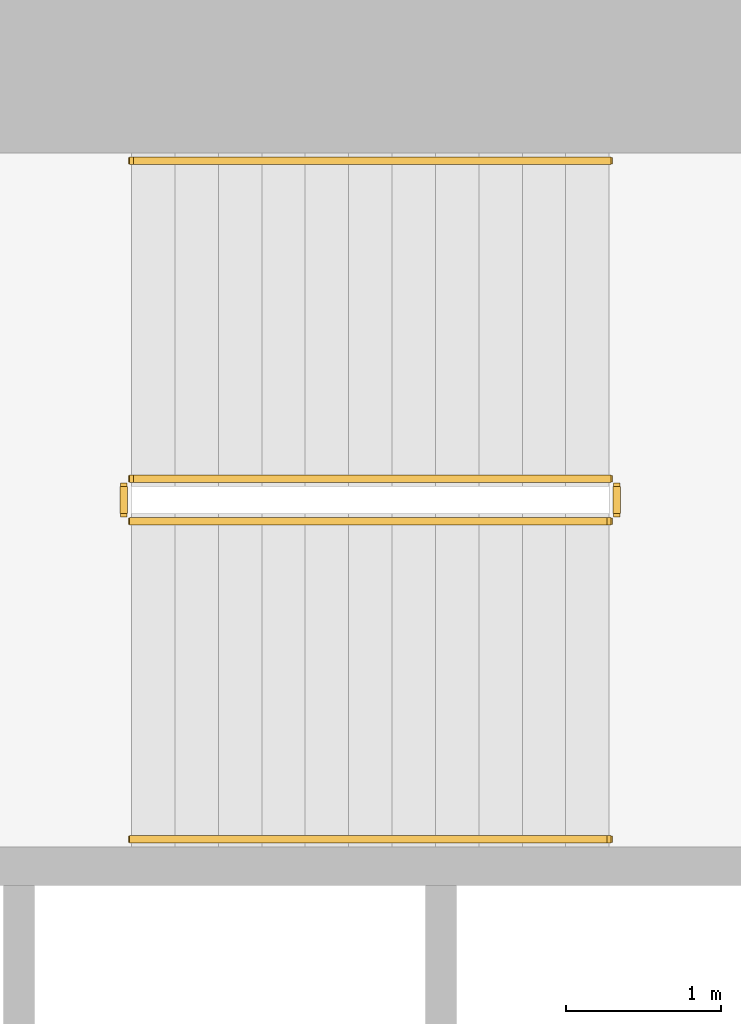
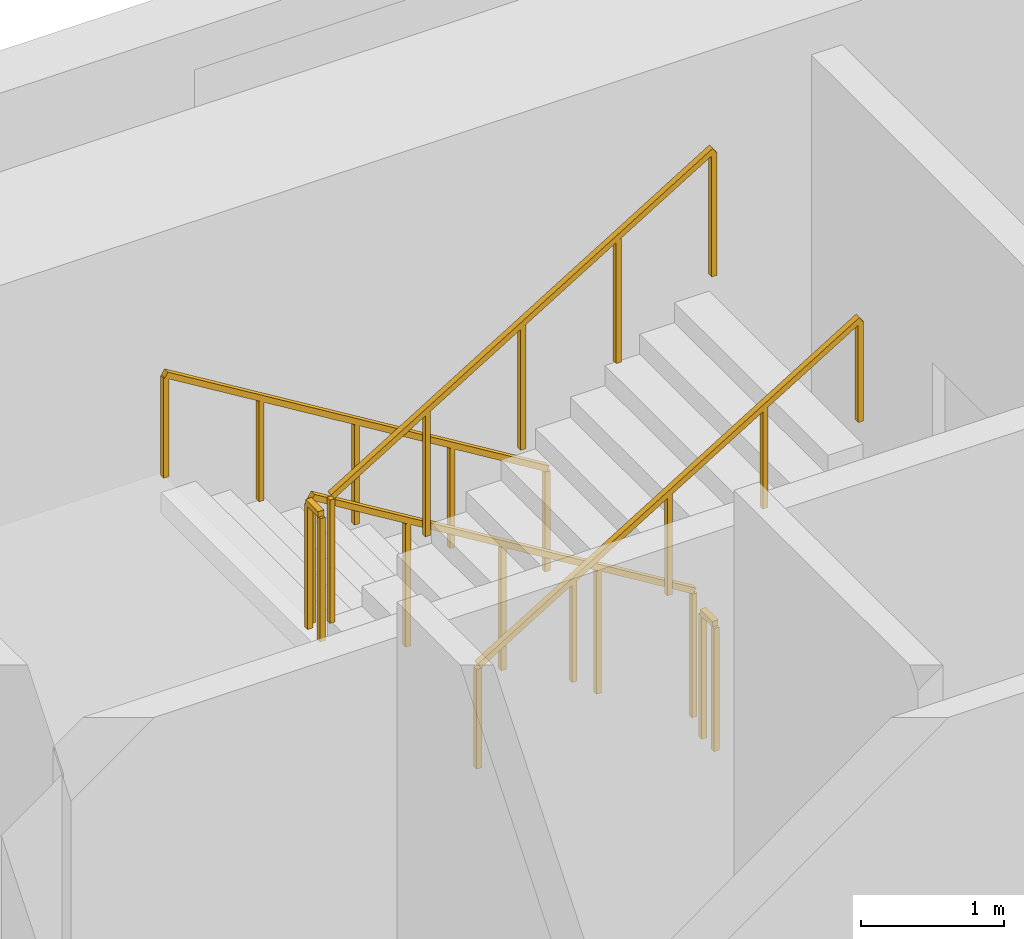
# One storey, part 13 of 14: 6 railings.
"""IFC4 building model written with IfcOpenShell, lengths in metres."""

from ifc_helpers import new_model, si_unit, direction, frame, origin, origin_2d, place, context, subcontext, project, spatial, rectangle, extrude, material, type_object, element, save


model = new_model("IFC4")

# Units and contexts
model_context = context("Model", 3, precision=1e-05, world=origin(), true_north=direction((0.0, 1.0)))
body_context = subcontext(model_context, "Body", "Model", "MODEL_VIEW")
ifc_project = project(units=[si_unit("LENGTHUNIT", "METRE"), si_unit("AREAUNIT", "SQUARE_METRE"), si_unit("VOLUMEUNIT", "CUBIC_METRE"), si_unit("PLANEANGLEUNIT", "RADIAN"), si_unit("MASSUNIT", "GRAM", prefix="KILO")], contexts=[model_context])

# Site, building, storey
site_placement = place(None, origin())
site = spatial("IfcSite", under=ifc_project, at=site_placement, CompositionType="ELEMENT")
building_placement = place(site_placement, origin())
building = spatial("IfcBuilding", under=site, at=building_placement, Name="Cypress Arch Tower", CompositionType="ELEMENT")
storey_placement = place(building_placement, frame((0.0, 0.0, 280.300048828125)))
storey = spatial("IfcBuildingStorey", under=building, at=storey_placement, Name="L63", CompositionType="ELEMENT", Elevation=280.300048828125)

# Railings
ifc_material_1 = material(Name="Black powder-coated steel square bar 48 mm", Category="steel")
railing_type_1 = type_object("IfcRailingType", Name="Stair handrail HR1", PredefinedType="HANDRAIL", material=ifc_material_1)
railing_1_placement = place(storey_placement, frame((-22.27490234375, 14.75, 0.1708984375)))
element("IfcRailing", 1, at=railing_1_placement, inside=storey, type_object=railing_type_1, Name="L63 B stair handrail 1", PredefinedType="HANDRAIL", context=body_context, shape_type="SweptSolid", body=[
    extrude(rectangle(XDim=0.048095703125, YDim=0.048095703125, at=origin_2d()), frame((0.0, 0.0, 0.8759765625), z_axis=(-0.853666305674, 0.0, 0.52082035152), x_axis=(0.0, -1.0, 0.0)), (0.0, 0.0, 1.0), 3.608154296875),
    extrude(rectangle(XDim=0.0419921875, YDim=0.0419921875, at=origin_2d()), origin(), (0.0, 0.0, 1.0), 0.851806640625),
    extrude(rectangle(XDim=0.0419921875, YDim=0.0419921875, at=origin_2d()), frame((-0.77001953125, 0.0, 0.4697265625)), (0.0, 0.0, 1.0), 0.851806640625),
    extrude(rectangle(XDim=0.0419921875, YDim=0.0419921875, at=origin_2d()), frame((-1.5400390625, 0.0, 0.939453125)), (0.0, 0.0, 1.0), 0.851806640625),
    extrude(rectangle(XDim=0.0419921875, YDim=0.0419921875, at=origin_2d()), frame((-2.31005859375, 0.0, 1.409423828125)), (0.0, 0.0, 1.0), 0.851806640625),
    extrude(rectangle(XDim=0.0419921875, YDim=0.0419921875, at=origin_2d()), frame((-3.080078125, 0.0, 1.879150390625)), (0.0, 0.0, 1.0), 0.851806640625),
])
railing_2_placement = place(storey_placement, frame((-25.35498046875, 10.375, 2.220703125)))
element("IfcRailing", 2, at=railing_2_placement, inside=storey, type_object=railing_type_1, Name="L63 B stair handrail 2", PredefinedType="HANDRAIL", context=body_context, shape_type="SweptSolid", body=[
    extrude(rectangle(XDim=0.048095703125, YDim=0.048095703125, at=origin_2d()), frame((0.0, 0.0, 0.8759765625), z_axis=(0.853666305674, 0.0, 0.52082035152), x_axis=(0.0, 1.0, 0.0)), (0.0, 0.0, 1.0), 3.608154296875),
    extrude(rectangle(XDim=0.0419921875, YDim=0.0419921875, at=origin_2d()), origin(), (0.0, 0.0, 1.0), 0.851806640625),
    extrude(rectangle(XDim=0.0419921875, YDim=0.0419921875, at=origin_2d()), frame((0.77001953125, 0.0, 0.4697265625)), (0.0, 0.0, 1.0), 0.851806640625),
    extrude(rectangle(XDim=0.0419921875, YDim=0.0419921875, at=origin_2d()), frame((1.5400390625, 0.0, 0.939453125)), (0.0, 0.0, 1.0), 0.851806640625),
    extrude(rectangle(XDim=0.0419921875, YDim=0.0419921875, at=origin_2d()), frame((2.31005859375, 0.0, 1.409423828125)), (0.0, 0.0, 1.0), 0.851806640625),
    extrude(rectangle(XDim=0.0419921875, YDim=0.0419921875, at=origin_2d()), frame((3.080078125, 0.0, 1.879150390625)), (0.0, 0.0, 1.0), 0.851806640625),
])
ifc_material_2 = material(Name="Black powder-coated steel balusters", Category="steel")
railing_type_2 = type_object("IfcRailingType", Name="Stair well guard G1", PredefinedType="GUARDRAIL", material=ifc_material_2)
railing_3_placement = place(storey_placement, frame((-22.27490234375, 12.699951171875, 0.1708984375)))
element("IfcRailing", 3, at=railing_3_placement, inside=storey, type_object=railing_type_2, Name="L63 B stair guard 1", PredefinedType="GUARDRAIL", context=body_context, shape_type="SweptSolid", body=[
    extrude(rectangle(XDim=0.048095703125, YDim=0.048095703125, at=origin_2d()), frame((0.0, 0.0, 1.076171875), z_axis=(-0.853666305674, 0.0, 0.52082035152), x_axis=(0.0, -1.0, 0.0)), (0.0, 0.0, 1.0), 3.608154296875),
    extrude(rectangle(XDim=0.0419921875, YDim=0.0419921875, at=origin_2d()), origin(), (0.0, 0.0, 1.0), 1.052001953125),
    extrude(rectangle(XDim=0.0419921875, YDim=0.0419921875, at=origin_2d()), frame((-0.77001953125, 0.0, 0.4697265625)), (0.0, 0.0, 1.0), 1.052001953125),
    extrude(rectangle(XDim=0.0419921875, YDim=0.0419921875, at=origin_2d()), frame((-1.5400390625, 0.0, 0.939453125)), (0.0, 0.0, 1.0), 1.052001953125),
    extrude(rectangle(XDim=0.0419921875, YDim=0.0419921875, at=origin_2d()), frame((-2.31005859375, 0.0, 1.409423828125)), (0.0, 0.0, 1.0), 1.052001953125),
    extrude(rectangle(XDim=0.0419921875, YDim=0.0419921875, at=origin_2d()), frame((-3.080078125, 0.0, 1.879150390625)), (0.0, 0.0, 1.0), 1.052001953125),
])
railing_4_placement = place(storey_placement, frame((-25.405029296875, 12.64990234375, 2.050048828125)))
element("IfcRailing", 4, at=railing_4_placement, inside=storey, type_object=railing_type_2, Name="L63 B stair guard 2", PredefinedType="GUARDRAIL", context=body_context, shape_type="SweptSolid", body=[
    extrude(rectangle(XDim=0.048095703125, YDim=0.048095703125, at=origin_2d()), frame((0.0, 0.0, 1.076171875), z_axis=(0.0, -1.0, 0.0), x_axis=(1.0, 0.0, 0.0)), (0.0, 0.0, 1.0), 0.1748046875),
    extrude(rectangle(XDim=0.0419921875, YDim=0.0419921875, at=origin_2d()), origin(), (0.0, 0.0, 1.0), 1.052001953125),
    extrude(rectangle(XDim=0.0419921875, YDim=0.0419921875, at=origin_2d()), frame((0.0, -0.1748046875, 0.0)), (0.0, 0.0, 1.0), 1.052001953125),
])
railing_5_placement = place(storey_placement, frame((-25.35498046875, 12.425048828125, 2.220703125)))
element("IfcRailing", 5, at=railing_5_placement, inside=storey, type_object=railing_type_2, Name="L63 B stair guard 3", PredefinedType="GUARDRAIL", context=body_context, shape_type="SweptSolid", body=[
    extrude(rectangle(XDim=0.048095703125, YDim=0.048095703125, at=origin_2d()), frame((0.0, 0.0, 1.076171875), z_axis=(0.853666305674, 0.0, 0.52082035152), x_axis=(0.0, 1.0, 0.0)), (0.0, 0.0, 1.0), 3.608154296875),
    extrude(rectangle(XDim=0.0419921875, YDim=0.0419921875, at=origin_2d()), origin(), (0.0, 0.0, 1.0), 1.052001953125),
    extrude(rectangle(XDim=0.0419921875, YDim=0.0419921875, at=origin_2d()), frame((0.77001953125, 0.0, 0.4697265625)), (0.0, 0.0, 1.0), 1.052001953125),
    extrude(rectangle(XDim=0.0419921875, YDim=0.0419921875, at=origin_2d()), frame((1.5400390625, 0.0, 0.939453125)), (0.0, 0.0, 1.0), 1.052001953125),
    extrude(rectangle(XDim=0.0419921875, YDim=0.0419921875, at=origin_2d()), frame((2.31005859375, 0.0, 1.409423828125)), (0.0, 0.0, 1.0), 1.052001953125),
    extrude(rectangle(XDim=0.0419921875, YDim=0.0419921875, at=origin_2d()), frame((3.080078125, 0.0, 1.879150390625)), (0.0, 0.0, 1.0), 1.052001953125),
])
railing_6_placement = place(storey_placement, frame((-22.22509765625, 12.64990234375, 0.0)))
element("IfcRailing", 6, at=railing_6_placement, inside=storey, type_object=railing_type_2, Name="L63 B stair guard 4", PredefinedType="GUARDRAIL", context=body_context, shape_type="SweptSolid", body=[
    extrude(rectangle(XDim=0.048095703125, YDim=0.048095703125, at=origin_2d()), frame((0.0, 0.0, 1.076171875), z_axis=(0.0, -1.0, 0.0), x_axis=(1.0, 0.0, 0.0)), (0.0, 0.0, 1.0), 0.1748046875),
    extrude(rectangle(XDim=0.0419921875, YDim=0.0419921875, at=origin_2d()), origin(), (0.0, 0.0, 1.0), 1.052001953125),
    extrude(rectangle(XDim=0.0419921875, YDim=0.0419921875, at=origin_2d()), frame((0.0, -0.1748046875, 0.0)), (0.0, 0.0, 1.0), 1.052001953125),
])

save(model, "model.ifc")
